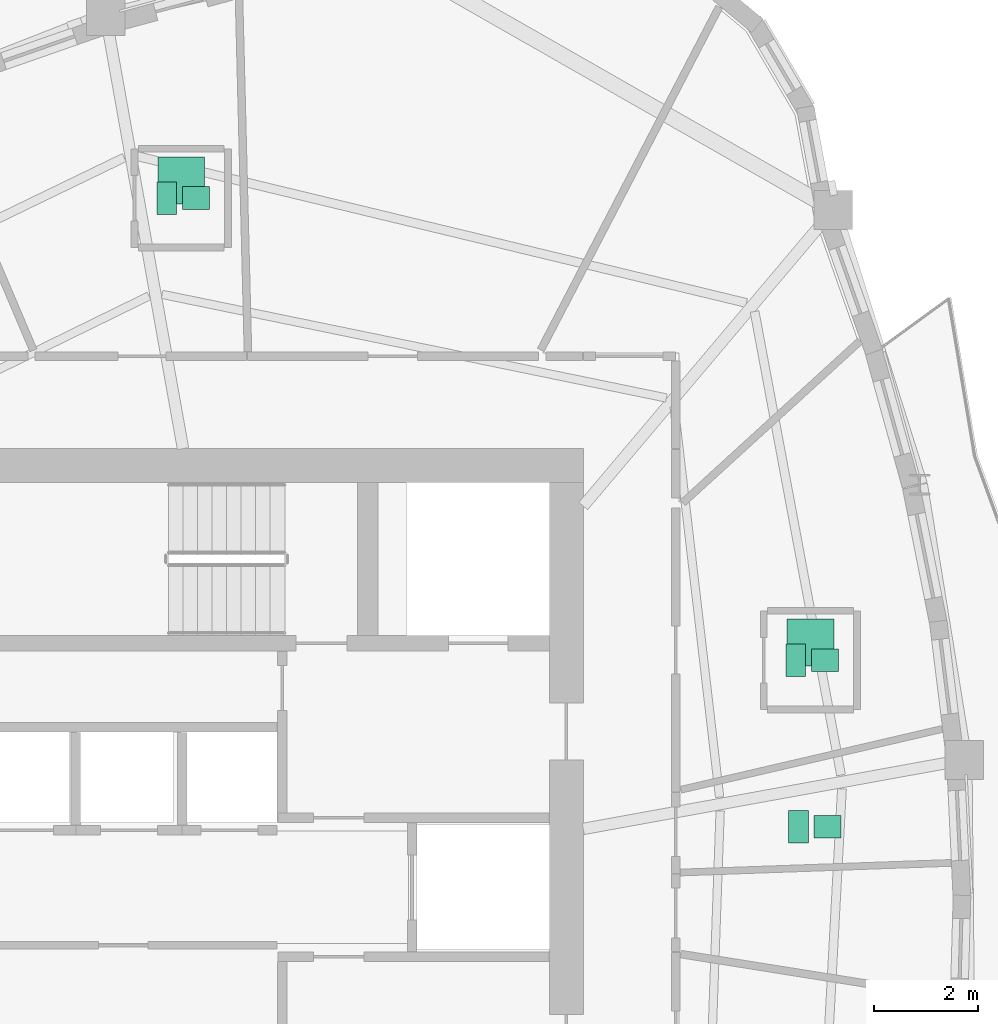
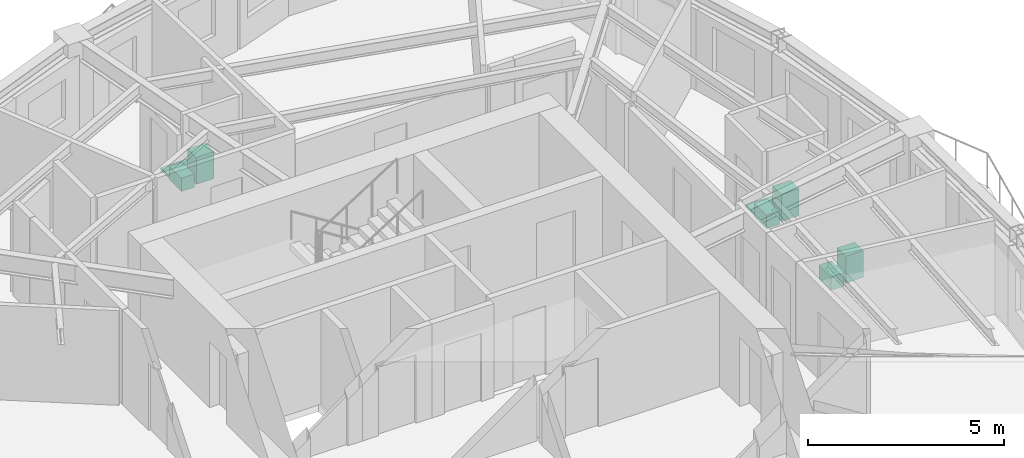
# One storey, part 13 of 13: 8 sanitary terminals.
"""IFC4 building model written with IfcOpenShell, lengths in metres."""

from ifc_helpers import new_model, si_unit, direction, frame, origin, origin_2d, place, context, subcontext, project, spatial, rectangle, extrude, source, transform, mapped, material, type_object, element, save


model = new_model("IFC4")

# Units and contexts
model_context = context("Model", 3, precision=1e-05, world=origin(), true_north=direction((0.0, 1.0)))
body_context = subcontext(model_context, "Body", "Model", "MODEL_VIEW")
ifc_project = project(units=[si_unit("LENGTHUNIT", "METRE"), si_unit("AREAUNIT", "SQUARE_METRE"), si_unit("VOLUMEUNIT", "CUBIC_METRE"), si_unit("PLANEANGLEUNIT", "RADIAN"), si_unit("MASSUNIT", "GRAM", prefix="KILO")], contexts=[model_context])

# Site, building, storey
site_placement = place(None, origin())
site = spatial("IfcSite", under=ifc_project, at=site_placement, CompositionType="ELEMENT")
building_placement = place(site_placement, origin())
building = spatial("IfcBuilding", under=site, at=building_placement, Name="Qafzar Sky-Pleat Residences", CompositionType="ELEMENT")
storey_placement = place(building_placement, frame((0.0, 0.0, 136.199951171875)))
storey = spatial("IfcBuildingStorey", under=building, at=storey_placement, Name="L40", CompositionType="ELEMENT", Elevation=136.199951171875)

# Sanitary terminals
ifc_material_1 = material(Name="Vitreous china sanitaryware")
sanitary_terminal_type_1 = type_object("IfcSanitaryTerminalType", Name="SAN-WC-PAN", PredefinedType="TOILETPAN", material=ifc_material_1)
shared_shape_1 = source(origin(), body_context, "Body", "SweptSolid", [
    extrude(rectangle(XDim=0.3798828125, YDim=0.6201171875, at=origin_2d()), origin(), (0.0, 0.0, 1.0), 0.419921875),
])
for number, where, z_axis, x_axis, name in (
    (1, (40.694580078125, 27.16650390625, 0.0), (0.0, 0.0, 1.0), (1.0, 0.0, 0.0), "L40 Accessible Shared Washroom WC Pan"),
    (2, (40.64501953125, 30.375, 0.0), (0.0, 0.0, 1.0), (1.0, 0.0, 0.0), "L40 En-suite Bathroom 1 WC Pan"),
    (3, (28.52587890625, 39.27490234375, 0.0), (0.0, 0.0, 1.0), (1.0, 0.0, 0.0), "L40 En-suite Bathroom 2 WC Pan"),
):
    element("IfcSanitaryTerminal", number, at=place(storey_placement, frame(where, z_axis=z_axis, x_axis=x_axis)), inside=storey, type_object=sanitary_terminal_type_1, Name=name, PredefinedType="TOILETPAN", context=body_context, shape_type="MappedRepresentation", body=[
        mapped(shared_shape_1, transform((0.0, 0.0, 0.0), x_axis=(1.0, 0.0, 0.0), y_axis=(0.0, 1.0, 0.0), z_axis=(0.0, 0.0, 1.0), scale=1.0)),
    ])
sanitary_terminal_type_2 = type_object("IfcSanitaryTerminalType", Name="SAN-BASIN", PredefinedType="WASHHANDBASIN", material=ifc_material_1)
shared_shape_2 = source(origin(), body_context, "Body", "SweptSolid", [
    extrude(rectangle(XDim=0.52001953125, YDim=0.43994140625, at=origin_2d()), origin(), (0.0, 0.0, 1.0), 0.840087890625),
])
for number, where, z_axis, x_axis, name in (
    (4, (41.254638671875, 27.16650390625, 0.0), (0.0, 0.0, 1.0), (1.0, 0.0, 0.0), "L40 Accessible Shared Washroom Pedestal Washbasin"),
    (5, (41.205078125, 30.375, 0.0), (0.0, 0.0, 1.0), (1.0, 0.0, 0.0), "L40 En-suite Bathroom 1 Pedestal Washbasin"),
    (6, (29.0859375, 39.27490234375, 0.0), (0.0, 0.0, 1.0), (1.0, 0.0, 0.0), "L40 En-suite Bathroom 2 Pedestal Washbasin"),
):
    element("IfcSanitaryTerminal", number, at=place(storey_placement, frame(where, z_axis=z_axis, x_axis=x_axis)), inside=storey, type_object=sanitary_terminal_type_2, Name=name, PredefinedType="WASHHANDBASIN", context=body_context, shape_type="MappedRepresentation", body=[
        mapped(shared_shape_2, transform((0.0, 0.0, 0.0), x_axis=(1.0, 0.0, 0.0), y_axis=(0.0, 1.0, 0.0), z_axis=(0.0, 0.0, 1.0), scale=1.0)),
    ])
ifc_material_2 = material(Name="Vitreous china and acrylic tray")
sanitary_terminal_type_3 = type_object("IfcSanitaryTerminalType", Name="SAN-SHOWER", PredefinedType="SHOWER", material=ifc_material_2)
shared_shape_3 = source(origin(), body_context, "Body", "SweptSolid", [
    extrude(rectangle(XDim=0.89990234375, YDim=0.89990234375, at=origin_2d()), origin(), (0.0, 0.0, 1.0), 0.080078125),
])
for number, where, z_axis, x_axis, name in (
    (7, (40.925048828125, 30.715087890625, 0.0), (0.0, 0.0, 1.0), (1.0, 0.0, 0.0), "L40 En-suite Bathroom 1 Walk-In Shower"),
    (8, (28.805908203125, 39.614990234375, 0.0), (0.0, 0.0, 1.0), (1.0, 0.0, 0.0), "L40 En-suite Bathroom 2 Walk-In Shower"),
):
    element("IfcSanitaryTerminal", number, at=place(storey_placement, frame(where, z_axis=z_axis, x_axis=x_axis)), inside=storey, type_object=sanitary_terminal_type_3, Name=name, PredefinedType="SHOWER", context=body_context, shape_type="MappedRepresentation", body=[
        mapped(shared_shape_3, transform((0.0, 0.0, 0.0), x_axis=(1.0, 0.0, 0.0), y_axis=(0.0, 1.0, 0.0), z_axis=(0.0, 0.0, 1.0), scale=1.0)),
    ])

save(model, "model.ifc")
